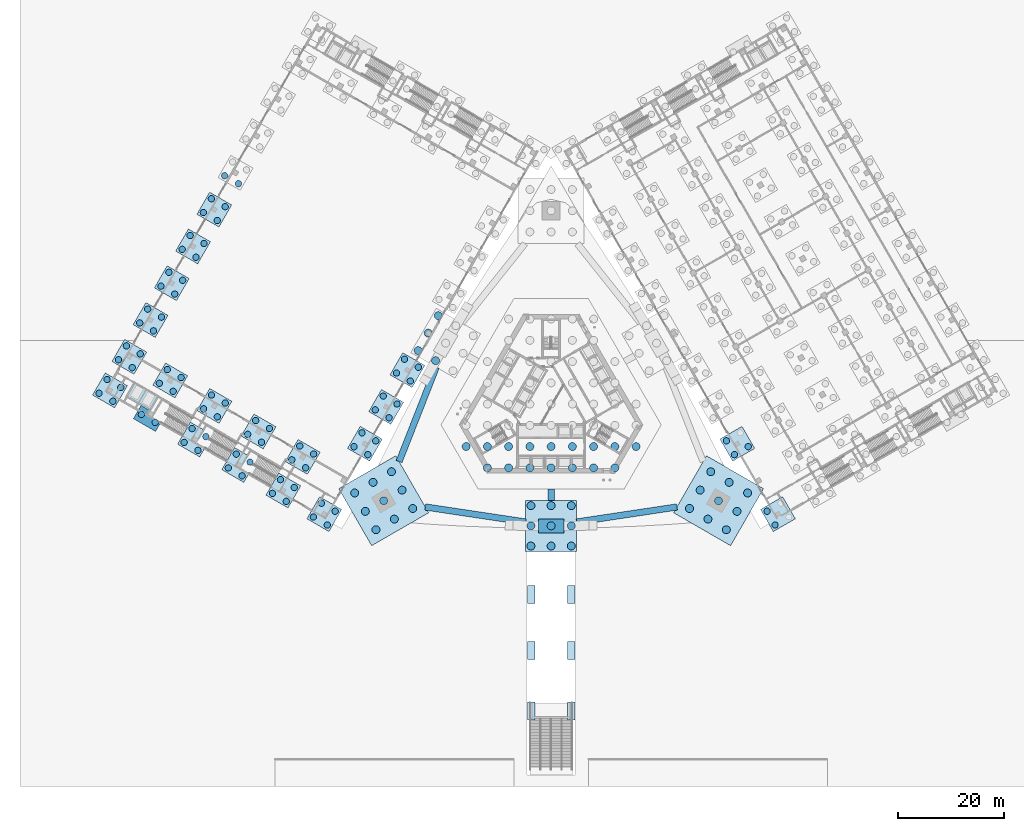
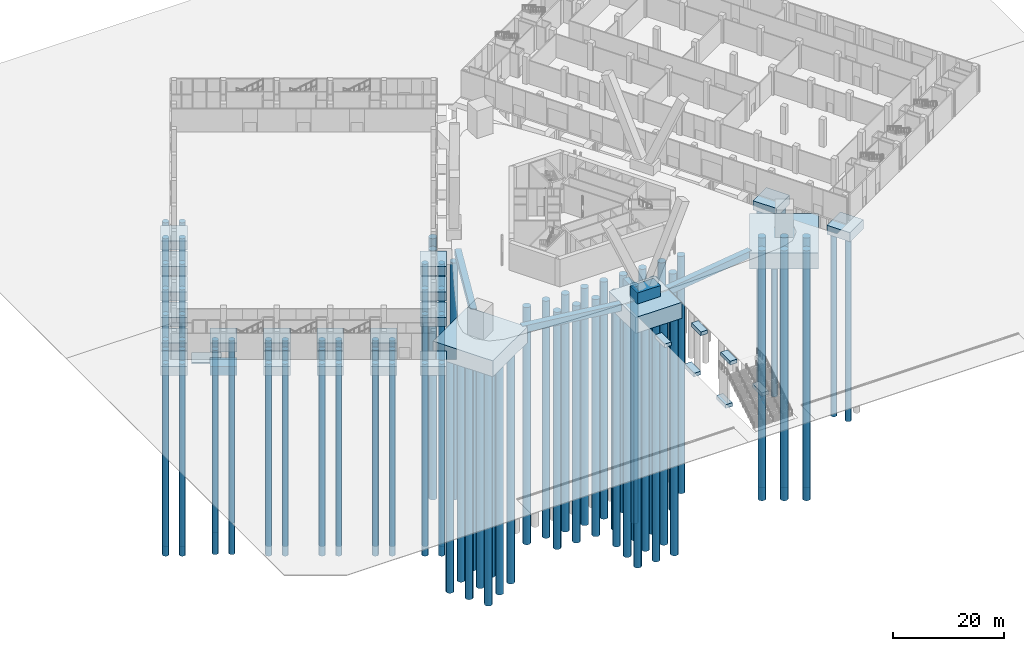
# One storey, part 1 of 38: 124 piles, 35 footings.
"""IFC4 building model written with IfcOpenShell, lengths in metres."""

from ifc_helpers import new_model, si_unit, direction, frame, origin, origin_2d, place, context, subcontext, project, spatial, polyline, rectangle, circle, outline, extrude, material, layer, layer_set, material_profile, profile_set, type_object, element, save


model = new_model("IFC4")

# Units and contexts
model_context = context("Model", 3, precision=1e-05, world=origin(), true_north=direction((0.0, 1.0)))
body_context = subcontext(model_context, "Body", "Model", "MODEL_VIEW")
ifc_project = project(units=[si_unit("LENGTHUNIT", "METRE"), si_unit("AREAUNIT", "SQUARE_METRE"), si_unit("VOLUMEUNIT", "CUBIC_METRE"), si_unit("PLANEANGLEUNIT", "RADIAN"), si_unit("MASSUNIT", "GRAM", prefix="KILO")], contexts=[model_context])

# Site, building, storey
site_placement = place(None, origin())
site = spatial("IfcSite", under=ifc_project, at=site_placement, CompositionType="ELEMENT")
building_placement = place(site_placement, origin())
building = spatial("IfcBuilding", under=site, at=building_placement, Name="Mestral Congress Tower", CompositionType="ELEMENT")
storey_placement = place(building_placement, origin())
storey = spatial("IfcBuildingStorey", under=building, at=storey_placement, Name="L00", CompositionType="ELEMENT", Elevation=0.0)

# Piles
ifc_material_1 = material(Name="Concrete C35/45", Category="concrete")
ifc_material_profile_1 = material_profile(ifc_material_1, circle(Radius=0.60009765625, at=origin_2d()), Name="D1200")
ifc_profile_set_1 = profile_set([ifc_material_profile_1], Name="Concrete C35/45")
pile_type_1 = type_object("IfcPileType", Name="Bored pile D1200", PredefinedType="BORED", material=ifc_profile_set_1)
for number, where, z_axis, x_axis, name in (
    (1, (42.16162109375, -22.769775390625, -2.14990234375), (0.0, 0.0, -1.0), (1.0, 0.0, 0.0), "PILE-WC-E-01A-01"),
    (2, (40.66162109375, -20.171630859375, -2.14990234375), (0.0, 0.0, -1.0), (1.0, 0.0, 0.0), "PILE-WC-E-01A-03"),
    (3, (34.511474609375, -9.51953125, -2.14990234375), (0.0, 0.0, -1.0), (1.0, 0.0, 0.0), "PILE-WC-E-03A-01"),
    (4, (37.109619140625, -8.01953125, -2.14990234375), (0.0, 0.0, -1.0), (1.0, 0.0, 0.0), "PILE-WC-E-03A-02"),
    (5, (33.011474609375, -6.921630859375, -2.14990234375), (0.0, 0.0, -1.0), (1.0, 0.0, 0.0), "PILE-WC-E-03A-03"),
    (6, (-58.868408203125, 41.4931640625, -2.14990234375), (0.0, 0.0, -1.0), (1.0, 0.0, 0.0), "PILE-WC-W-05F-03"),
    (7, (-61.46630859375, 42.9931640625, -2.14990234375), (0.0, 0.0, -1.0), (1.0, 0.0, 0.0), "PILE-WC-W-05F-04"),
    (8, (-61.368408203125, 37.1630859375, -2.14990234375), (0.0, 0.0, -1.0), (1.0, 0.0, 0.0), "PILE-WC-W-06F-01"),
    (9, (-63.96630859375, 38.6630859375, -2.14990234375), (0.0, 0.0, -1.0), (1.0, 0.0, 0.0), "PILE-WC-W-06F-02"),
    (10, (-62.868408203125, 34.56494140625, -2.14990234375), (0.0, 0.0, -1.0), (1.0, 0.0, 0.0), "PILE-WC-W-06F-03"),
    (11, (-65.46630859375, 36.06494140625, -2.14990234375), (0.0, 0.0, -1.0), (1.0, 0.0, 0.0), "PILE-WC-W-06F-04"),
    (12, (-25.011474609375, 6.934814453125, -2.14990234375), (0.0, 0.0, -1.0), (1.0, 0.0, 0.0), "PILE-WC-W-07A-01"),
    (13, (-27.609619140625, 8.434814453125, -2.14990234375), (0.0, 0.0, -1.0), (1.0, 0.0, 0.0), "PILE-WC-W-07A-02"),
    (14, (-26.511474609375, 4.336669921875, -2.14990234375), (0.0, 0.0, -1.0), (1.0, 0.0, 0.0), "PILE-WC-W-07A-03"),
    (15, (-29.109619140625, 5.836669921875, -2.14990234375), (0.0, 0.0, -1.0), (1.0, 0.0, 0.0), "PILE-WC-W-07A-04"),
    (16, (-65.368408203125, 30.23486328125, -2.14990234375), (0.0, 0.0, -1.0), (1.0, 0.0, 0.0), "PILE-WC-W-07F-01"),
    (17, (-67.96630859375, 31.73486328125, -2.14990234375), (0.0, 0.0, -1.0), (1.0, 0.0, 0.0), "PILE-WC-W-07F-02"),
    (18, (-66.868408203125, 27.63671875, -2.14990234375), (0.0, 0.0, -1.0), (1.0, 0.0, 0.0), "PILE-WC-W-07F-03"),
    (19, (-69.46630859375, 29.13671875, -2.14990234375), (0.0, 0.0, -1.0), (1.0, 0.0, 0.0), "PILE-WC-W-07F-04"),
    (20, (-29.011474609375, 0.006591796875, -2.14990234375), (0.0, 0.0, -1.0), (1.0, 0.0, 0.0), "PILE-WC-W-08A-01"),
    (21, (-31.609619140625, 1.506591796875, -2.14990234375), (0.0, 0.0, -1.0), (1.0, 0.0, 0.0), "PILE-WC-W-08A-02"),
    (22, (-30.511474609375, -2.591552734375, -2.14990234375), (0.0, 0.0, -1.0), (1.0, 0.0, 0.0), "PILE-WC-W-08A-03"),
    (23, (-33.109619140625, -1.091552734375, -2.14990234375), (0.0, 0.0, -1.0), (1.0, 0.0, 0.0), "PILE-WC-W-08A-04"),
    (24, (-69.368408203125, 23.306640625, -2.14990234375), (0.0, 0.0, -1.0), (1.0, 0.0, 0.0), "PILE-WC-W-08F-01"),
    (25, (-71.96630859375, 24.806640625, -2.14990234375), (0.0, 0.0, -1.0), (1.0, 0.0, 0.0), "PILE-WC-W-08F-02"),
    (26, (-70.868408203125, 20.70849609375, -2.14990234375), (0.0, 0.0, -1.0), (1.0, 0.0, 0.0), "PILE-WC-W-08F-03"),
    (27, (-73.46630859375, 22.20849609375, -2.14990234375), (0.0, 0.0, -1.0), (1.0, 0.0, 0.0), "PILE-WC-W-08F-04"),
    (28, (-33.011474609375, -6.921630859375, -2.14990234375), (0.0, 0.0, -1.0), (1.0, 0.0, 0.0), "PILE-WC-W-09A-01"),
    (29, (-35.609619140625, -5.421630859375, -2.14990234375), (0.0, 0.0, -1.0), (1.0, 0.0, 0.0), "PILE-WC-W-09A-02"),
    (30, (-34.511474609375, -9.519775390625, -2.14990234375), (0.0, 0.0, -1.0), (1.0, 0.0, 0.0), "PILE-WC-W-09A-03"),
    (31, (-37.109619140625, -8.019775390625, -2.14990234375), (0.0, 0.0, -1.0), (1.0, 0.0, 0.0), "PILE-WC-W-09A-04"),
    (32, (-73.368408203125, 16.37841796875, -2.14990234375), (0.0, 0.0, -1.0), (1.0, 0.0, 0.0), "PILE-WC-W-09F-01"),
    (33, (-75.96630859375, 17.87841796875, -2.14990234375), (0.0, 0.0, -1.0), (1.0, 0.0, 0.0), "PILE-WC-W-09F-02"),
    (34, (-74.868408203125, 13.7802734375, -2.14990234375), (0.0, 0.0, -1.0), (1.0, 0.0, 0.0), "PILE-WC-W-09F-03"),
    (35, (-77.46630859375, 15.2802734375, -2.14990234375), (0.0, 0.0, -1.0), (1.0, 0.0, 0.0), "PILE-WC-W-09F-04"),
    (36, (-44.718994140625, -9.39990234375, -2.14990234375), (0.0, 0.0, -1.0), (1.0, 0.0, 0.0), "PILE-WC-W-10B-01"),
    (37, (-47.317138671875, -7.89990234375, -2.14990234375), (0.0, 0.0, -1.0), (1.0, 0.0, 0.0), "PILE-WC-W-10B-02"),
    (38, (-46.218994140625, -11.997802734375, -2.14990234375), (0.0, 0.0, -1.0), (1.0, 0.0, 0.0), "PILE-WC-W-10B-03"),
    (39, (-48.817138671875, -10.497802734375, -2.14990234375), (0.0, 0.0, -1.0), (1.0, 0.0, 0.0), "PILE-WC-W-10B-04"),
    (40, (-53.032958984375, -4.599853515625, -2.14990234375), (0.0, 0.0, -1.0), (1.0, 0.0, 0.0), "PILE-WC-W-10C-01"),
    (41, (-55.631103515625, -3.099853515625, -2.14990234375), (0.0, 0.0, -1.0), (1.0, 0.0, 0.0), "PILE-WC-W-10C-02"),
    (42, (-54.532958984375, -7.197998046875, -2.14990234375), (0.0, 0.0, -1.0), (1.0, 0.0, 0.0), "PILE-WC-W-10C-03"),
    (43, (-57.131103515625, -5.697998046875, -2.14990234375), (0.0, 0.0, -1.0), (1.0, 0.0, 0.0), "PILE-WC-W-10C-04"),
    (44, (-61.3466796875, 0.2001953125, -2.14990234375), (0.0, 0.0, -1.0), (1.0, 0.0, 0.0), "PILE-WC-W-10D-01"),
    (45, (-63.94482421875, 1.7001953125, -2.14990234375), (0.0, 0.0, -1.0), (1.0, 0.0, 0.0), "PILE-WC-W-10D-02"),
    (46, (-62.8466796875, -2.39794921875, -2.14990234375), (0.0, 0.0, -1.0), (1.0, 0.0, 0.0), "PILE-WC-W-10D-03"),
    (47, (-65.44482421875, -0.89794921875, -2.14990234375), (0.0, 0.0, -1.0), (1.0, 0.0, 0.0), "PILE-WC-W-10D-04"),
    (48, (-69.66064453125, 5.000244140625, -2.14990234375), (0.0, 0.0, -1.0), (1.0, 0.0, 0.0), "PILE-WC-W-10E-01"),
    (49, (-72.2587890625, 6.500244140625, -2.14990234375), (0.0, 0.0, -1.0), (1.0, 0.0, 0.0), "PILE-WC-W-10E-02"),
    (50, (-71.16064453125, 2.402099609375, -2.14990234375), (0.0, 0.0, -1.0), (1.0, 0.0, 0.0), "PILE-WC-W-10E-03"),
    (51, (-73.7587890625, 3.902099609375, -2.14990234375), (0.0, 0.0, -1.0), (1.0, 0.0, 0.0), "PILE-WC-W-10E-04"),
    (52, (-77.368408203125, 9.4501953125, -2.14990234375), (0.0, 0.0, -1.0), (1.0, 0.0, 0.0), "PILE-WC-W-10F-01"),
    (53, (-79.96630859375, 10.9501953125, -2.14990234375), (0.0, 0.0, -1.0), (1.0, 0.0, 0.0), "PILE-WC-W-10F-02"),
    (54, (-78.868408203125, 6.85205078125, -2.14990234375), (0.0, 0.0, -1.0), (1.0, 0.0, 0.0), "PILE-WC-W-10F-03"),
    (55, (-81.46630859375, 8.35205078125, -2.14990234375), (0.0, 0.0, -1.0), (1.0, 0.0, 0.0), "PILE-WC-W-10F-04"),
    (56, (-40.66162109375, -20.171875, -2.14990234375), (0.0, 0.0, -1.0), (1.0, 0.0, 0.0), "PILE-WC-W-11A-01"),
    (57, (-43.259521484375, -18.671875, -2.14990234375), (0.0, 0.0, -1.0), (1.0, 0.0, 0.0), "PILE-WC-W-11A-02"),
    (58, (-42.16162109375, -22.77001953125, -2.14990234375), (0.0, 0.0, -1.0), (1.0, 0.0, 0.0), "PILE-WC-W-11A-03"),
    (59, (-44.759521484375, -21.27001953125, -2.14990234375), (0.0, 0.0, -1.0), (1.0, 0.0, 0.0), "PILE-WC-W-11A-04"),
    (60, (-48.369140625, -15.7216796875, -2.14990234375), (0.0, 0.0, -1.0), (1.0, 0.0, 0.0), "PILE-WC-W-11B-01"),
    (61, (-50.96728515625, -14.2216796875, -2.14990234375), (0.0, 0.0, -1.0), (1.0, 0.0, 0.0), "PILE-WC-W-11B-02"),
    (62, (-49.869140625, -18.31982421875, -2.14990234375), (0.0, 0.0, -1.0), (1.0, 0.0, 0.0), "PILE-WC-W-11B-03"),
    (63, (-52.46728515625, -16.81982421875, -2.14990234375), (0.0, 0.0, -1.0), (1.0, 0.0, 0.0), "PILE-WC-W-11B-04"),
    (64, (-56.682861328125, -10.921875, -2.14990234375), (0.0, 0.0, -1.0), (1.0, 0.0, 0.0), "PILE-WC-W-11C-01"),
    (65, (-59.281005859375, -9.421875, -2.14990234375), (0.0, 0.0, -1.0), (1.0, 0.0, 0.0), "PILE-WC-W-11C-02"),
    (66, (-58.182861328125, -13.52001953125, -2.14990234375), (0.0, 0.0, -1.0), (1.0, 0.0, 0.0), "PILE-WC-W-11C-03"),
    (67, (-60.781005859375, -12.02001953125, -2.14990234375), (0.0, 0.0, -1.0), (1.0, 0.0, 0.0), "PILE-WC-W-11C-04"),
    (68, (-64.996826171875, -6.121826171875, -2.14990234375), (0.0, 0.0, -1.0), (1.0, 0.0, 0.0), "PILE-WC-W-11D-01"),
    (69, (-67.594970703125, -4.621826171875, -2.14990234375), (0.0, 0.0, -1.0), (1.0, 0.0, 0.0), "PILE-WC-W-11D-02"),
    (70, (-66.496826171875, -8.719970703125, -2.14990234375), (0.0, 0.0, -1.0), (1.0, 0.0, 0.0), "PILE-WC-W-11D-03"),
    (71, (-69.094970703125, -7.219970703125, -2.14990234375), (0.0, 0.0, -1.0), (1.0, 0.0, 0.0), "PILE-WC-W-11D-04"),
    (72, (-74.548095703125, -3.465087890625, -2.14990234375), (0.0, 0.0, -1.0), (1.0, 0.0, 0.0), "PILE-WC-W-11E-01"),
    (73, (-77.146240234375, -1.965087890625, -2.14990234375), (0.0, 0.0, -1.0), (1.0, 0.0, 0.0), "PILE-WC-W-11E-02"),
    (74, (-81.018310546875, 3.128173828125, -2.14990234375), (0.0, 0.0, -1.0), (1.0, 0.0, 0.0), "PILE-WC-W-11F-01"),
    (75, (-83.6162109375, 4.628173828125, -2.14990234375), (0.0, 0.0, -1.0), (1.0, 0.0, 0.0), "PILE-WC-W-11F-02"),
    (76, (-82.518310546875, 0.530029296875, -2.14990234375), (0.0, 0.0, -1.0), (1.0, 0.0, 0.0), "PILE-WC-W-11F-03"),
    (77, (-85.1162109375, 2.030029296875, -2.14990234375), (0.0, 0.0, -1.0), (1.0, 0.0, 0.0), "PILE-WC-W-11F-04"),
):
    element("IfcPile", number, at=place(storey_placement, frame(where, z_axis=z_axis, x_axis=x_axis)), inside=storey, type_object=pile_type_1, Name=name, PredefinedType="BORED", context=body_context, shape_type="SweptSolid", body=[
        extrude(circle(Radius=0.60009765625, at=origin_2d()), origin(), (0.0, 0.0, 1.0), 40.0),
    ])
ifc_material_profile_2 = material_profile(ifc_material_1, circle(Radius=0.75, at=origin_2d()), Name="D1500")
ifc_profile_set_2 = profile_set([ifc_material_profile_2], Name="Concrete C35/45")
pile_type_2 = type_object("IfcPileType", Name="Bored pile D1500", PredefinedType="BORED", material=ifc_profile_set_2)
for number, where, z_axis, x_axis, name in (
    (78, (-16.0, -8.0, -5.64990234375), (0.0, 0.0, -1.0), (1.0, 0.0, 0.0), "PILE-RAFT-01"),
    (79, (-12.0, -12.0, -5.64990234375), (0.0, 0.0, -1.0), (1.0, 0.0, 0.0), "PILE-RAFT-04"),
    (80, (-12.0, -8.0, -5.64990234375), (0.0, 0.0, -1.0), (1.0, 0.0, 0.0), "PILE-RAFT-05"),
    (81, (-8.0, -12.0, -5.64990234375), (0.0, 0.0, -1.0), (1.0, 0.0, 0.0), "PILE-RAFT-10"),
    (82, (-8.0, -8.0, -5.64990234375), (0.0, 0.0, -1.0), (1.0, 0.0, 0.0), "PILE-RAFT-11"),
    (83, (-4.0, -12.0, -5.64990234375), (0.0, 0.0, -1.0), (1.0, 0.0, 0.0), "PILE-RAFT-18"),
    (84, (-4.0, -8.0, -5.64990234375), (0.0, 0.0, -1.0), (1.0, 0.0, 0.0), "PILE-RAFT-19"),
    (85, (0.0, -12.0, -5.64990234375), (0.0, 0.0, -1.0), (1.0, 0.0, 0.0), "PILE-RAFT-26"),
    (86, (0.0, -8.0, -5.64990234375), (0.0, 0.0, -1.0), (1.0, 0.0, 0.0), "PILE-RAFT-27"),
    (87, (4.0, -12.0, -5.64990234375), (0.0, 0.0, -1.0), (1.0, 0.0, 0.0), "PILE-RAFT-34"),
    (88, (4.0, -8.0, -5.64990234375), (0.0, 0.0, -1.0), (1.0, 0.0, 0.0), "PILE-RAFT-35"),
    (89, (8.0, -12.0, -5.64990234375), (0.0, 0.0, -1.0), (1.0, 0.0, 0.0), "PILE-RAFT-42"),
    (90, (8.0, -8.0, -5.64990234375), (0.0, 0.0, -1.0), (1.0, 0.0, 0.0), "PILE-RAFT-43"),
    (91, (12.0, -12.0, -5.64990234375), (0.0, 0.0, -1.0), (1.0, 0.0, 0.0), "PILE-RAFT-50"),
    (92, (12.0, -8.0, -5.64990234375), (0.0, 0.0, -1.0), (1.0, 0.0, 0.0), "PILE-RAFT-51"),
    (93, (16.0, -8.0, -5.64990234375), (0.0, 0.0, -1.0), (1.0, 0.0, 0.0), "PILE-RAFT-56"),
    (94, (26.058349609375, -19.66357421875, -3.64990234375), (0.0, 0.0, -1.0), (1.0, 0.0, 0.0), "PILE-PCP-SE-01"),
    (95, (28.058349609375, -16.199462890625, -3.64990234375), (0.0, 0.0, -1.0), (1.0, 0.0, 0.0), "PILE-PCP-SE-02"),
    (96, (30.058349609375, -12.7353515625, -3.64990234375), (0.0, 0.0, -1.0), (1.0, 0.0, 0.0), "PILE-PCP-SE-03"),
    (97, (29.5224609375, -21.66357421875, -3.64990234375), (0.0, 0.0, -1.0), (1.0, 0.0, 0.0), "PILE-PCP-SE-04"),
    (98, (31.5224609375, -18.199462890625, -3.64990234375), (0.0, 0.0, -1.0), (1.0, 0.0, 0.0), "PILE-PCP-SE-05"),
    (99, (33.5224609375, -14.7353515625, -3.64990234375), (0.0, 0.0, -1.0), (1.0, 0.0, 0.0), "PILE-PCP-SE-06"),
    (100, (32.986572265625, -23.66357421875, -3.64990234375), (0.0, 0.0, -1.0), (1.0, 0.0, 0.0), "PILE-PCP-SE-07"),
    (101, (34.986572265625, -20.199462890625, -3.64990234375), (0.0, 0.0, -1.0), (1.0, 0.0, 0.0), "PILE-PCP-SE-08"),
    (102, (36.986572265625, -16.7353515625, -3.64990234375), (0.0, 0.0, -1.0), (1.0, 0.0, 0.0), "PILE-PCP-SE-09"),
    (103, (-30.058349609375, -12.7353515625, -3.64990234375), (0.0, 0.0, -1.0), (1.0, 0.0, 0.0), "PILE-PCP-SW-01"),
    (104, (-28.058349609375, -16.199462890625, -3.64990234375), (0.0, 0.0, -1.0), (1.0, 0.0, 0.0), "PILE-PCP-SW-02"),
    (105, (-26.058349609375, -19.66357421875, -3.64990234375), (0.0, 0.0, -1.0), (1.0, 0.0, 0.0), "PILE-PCP-SW-03"),
    (106, (-33.5224609375, -14.7353515625, -3.64990234375), (0.0, 0.0, -1.0), (1.0, 0.0, 0.0), "PILE-PCP-SW-04"),
    (107, (-31.5224609375, -18.199462890625, -3.64990234375), (0.0, 0.0, -1.0), (1.0, 0.0, 0.0), "PILE-PCP-SW-05"),
    (108, (-29.5224609375, -21.66357421875, -3.64990234375), (0.0, 0.0, -1.0), (1.0, 0.0, 0.0), "PILE-PCP-SW-06"),
    (109, (-36.986572265625, -16.7353515625, -3.64990234375), (0.0, 0.0, -1.0), (1.0, 0.0, 0.0), "PILE-PCP-SW-07"),
    (110, (-34.986572265625, -20.199462890625, -3.64990234375), (0.0, 0.0, -1.0), (1.0, 0.0, 0.0), "PILE-PCP-SW-08"),
    (111, (-32.986572265625, -23.66357421875, -3.64990234375), (0.0, 0.0, -1.0), (1.0, 0.0, 0.0), "PILE-PCP-SW-09"),
    (112, (-3.800048828125, -26.72802734375, -3.64990234375), (0.0, 0.0, -1.0), (1.0, 0.0, 0.0), "PILE-VCP-S-01"),
    (113, (-3.800048828125, -22.927978515625, -3.64990234375), (0.0, 0.0, -1.0), (1.0, 0.0, 0.0), "PILE-VCP-S-02"),
    (114, (-3.800048828125, -19.1279296875, -3.64990234375), (0.0, 0.0, -1.0), (1.0, 0.0, 0.0), "PILE-VCP-S-03"),
    (115, (0.0, -26.72802734375, -3.64990234375), (0.0, 0.0, -1.0), (1.0, 0.0, 0.0), "PILE-VCP-S-04"),
    (116, (0.0, -22.927978515625, -3.64990234375), (0.0, 0.0, -1.0), (1.0, 0.0, 0.0), "PILE-VCP-S-05"),
    (117, (0.0, -19.1279296875, -3.64990234375), (0.0, 0.0, -1.0), (1.0, 0.0, 0.0), "PILE-VCP-S-06"),
    (118, (3.800048828125, -26.72802734375, -3.64990234375), (0.0, 0.0, -1.0), (1.0, 0.0, 0.0), "PILE-VCP-S-07"),
    (119, (3.800048828125, -22.927978515625, -3.64990234375), (0.0, 0.0, -1.0), (1.0, 0.0, 0.0), "PILE-VCP-S-08"),
    (120, (3.800048828125, -19.1279296875, -3.64990234375), (0.0, 0.0, -1.0), (1.0, 0.0, 0.0), "PILE-VCP-S-09"),
    (121, (-21.2470703125, 16.65478515625, -3.64990234375), (0.0, 0.0, -1.0), (1.0, 0.0, 0.0), "PILE-VCP-W-01"),
    (122, (-23.147216796875, 13.364013671875, -3.64990234375), (0.0, 0.0, -1.0), (1.0, 0.0, 0.0), "PILE-VCP-W-04"),
    (123, (-25.047119140625, 10.072998046875, -3.64990234375), (0.0, 0.0, -1.0), (1.0, 0.0, 0.0), "PILE-VCP-W-07"),
    (124, (-21.756103515625, 8.173095703125, -3.64990234375), (0.0, 0.0, -1.0), (1.0, 0.0, 0.0), "PILE-VCP-W-08"),
):
    element("IfcPile", number, at=place(storey_placement, frame(where, z_axis=z_axis, x_axis=x_axis)), inside=storey, type_object=pile_type_2, Name=name, PredefinedType="BORED", context=body_context, shape_type="SweptSolid", body=[
        extrude(circle(Radius=0.75, at=origin_2d()), origin(), (0.0, 0.0, 1.0), 52.0),
    ])

# Footings
ifc_layer_1 = layer(ifc_material_1, 0.300048828125)
ifc_layer_set_1 = layer_set([ifc_layer_1], Name="Concrete C35/45")
footing_type_1 = type_object("IfcFootingType", Name="Lift pit slab 300", PredefinedType="PAD_FOOTING", material=ifc_layer_set_1)
footing_1_placement = place(storey_placement, frame((0.0, 0.0, -1.800048828125)))
element("IfcFooting", 125, at=footing_1_placement, inside=storey, type_object=footing_type_1, Name="FT-PIT-W1", PredefinedType="PAD_FOOTING", context=body_context, shape_type="SweptSolid", body=[
    extrude(outline(polyline([(-75.4560546875, -1.23779296875), (-73.856201171875, 1.533447265625), (-78.446044921875, 4.18359375), (-80.0458984375, 1.412109375), (-75.4560546875, -1.23779296875)])), origin(), (0.0, 0.0, 1.0), 0.300048828125),
])
ifc_layer_2 = layer(ifc_material_1, 3.5)
ifc_layer_set_2 = layer_set([ifc_layer_2], Name="Concrete C35/45")
footing_type_2 = type_object("IfcFootingType", Name="Pile cap 3500", PredefinedType="PILE_CAP", material=ifc_layer_set_2)
placement_1 = place(storey_placement, frame((0.0, 0.0, -3.800048828125)))
element("IfcFooting", 126, at=placement_1, inside=storey, type_object=footing_type_2, Name="FT-PYCAP-0", PredefinedType="PILE_CAP", context=body_context, shape_type="SweptSolid", body=[
    extrude(outline(polyline([(23.052978515625, -20.468994140625), (33.791748046875, -26.6689453125), (39.99169921875, -15.93017578125), (29.2529296875, -9.72998046875), (23.052978515625, -20.468994140625)])), origin(), (0.0, 0.0, 1.0), 3.5),
])
element("IfcFooting", 127, at=placement_1, inside=storey, type_object=footing_type_2, Name="FT-PYCAP-2", PredefinedType="PILE_CAP", context=body_context, shape_type="SweptSolid", body=[
    extrude(outline(polyline([(-29.2529296875, -9.72998046875), (-39.99169921875, -15.93017578125), (-33.791748046875, -26.6689453125), (-23.052978515625, -20.468994140625), (-29.2529296875, -9.72998046875)])), origin(), (0.0, 0.0, 1.0), 3.5),
])
element("IfcFooting", 128, at=placement_1, inside=storey, type_object=footing_type_2, Name="FT-VCAP-0", PredefinedType="PILE_CAP", context=body_context, shape_type="SweptSolid", body=[
    extrude(outline(polyline([(-4.800048828125, -27.72802734375), (4.800048828125, -27.72802734375), (4.800048828125, -18.1279296875), (-4.800048828125, -18.1279296875), (-4.800048828125, -27.72802734375)])), origin(), (0.0, 0.0, 1.0), 3.5),
])
ifc_layer_3 = layer(ifc_material_1, 0.800048828125)
ifc_layer_set_3 = layer_set([ifc_layer_3], Name="Concrete C35/45")
footing_type_3 = type_object("IfcFootingType", Name="Strip footing 1400", PredefinedType="STRIP_FOOTING", material=ifc_layer_set_3)
placement_2 = place(storey_placement, frame((0.0, 0.0, -1.10009765625)))
element("IfcFooting", 129, at=placement_2, inside=storey, type_object=footing_type_3, Name="FT-TERR-1-W", PredefinedType="STRIP_FOOTING", context=body_context, shape_type="SweptSolid", body=[
    extrude(outline(polyline([(-4.449951171875, -34.1279296875), (-4.449951171875, -37.528076171875), (-3.050048828125, -37.528076171875), (-3.050048828125, -34.1279296875), (-4.449951171875, -34.1279296875)])), origin(), (0.0, 0.0, 1.0), 0.800048828125),
])
element("IfcFooting", 130, at=placement_2, inside=storey, type_object=footing_type_3, Name="FT-TERR-1-E", PredefinedType="STRIP_FOOTING", context=body_context, shape_type="SweptSolid", body=[
    extrude(outline(polyline([(3.050048828125, -34.1279296875), (3.050048828125, -37.528076171875), (4.449951171875, -37.528076171875), (4.449951171875, -34.1279296875), (3.050048828125, -34.1279296875)])), origin(), (0.0, 0.0, 1.0), 0.800048828125),
])
element("IfcFooting", 131, at=placement_2, inside=storey, type_object=footing_type_3, Name="FT-TERR-2-W", PredefinedType="STRIP_FOOTING", context=body_context, shape_type="SweptSolid", body=[
    extrude(outline(polyline([(-4.449951171875, -44.68798828125), (-4.449951171875, -48.087890625), (-3.050048828125, -48.087890625), (-3.050048828125, -44.68798828125), (-4.449951171875, -44.68798828125)])), origin(), (0.0, 0.0, 1.0), 0.800048828125),
])
element("IfcFooting", 132, at=placement_2, inside=storey, type_object=footing_type_3, Name="FT-TERR-2-E", PredefinedType="STRIP_FOOTING", context=body_context, shape_type="SweptSolid", body=[
    extrude(outline(polyline([(3.050048828125, -44.68798828125), (3.050048828125, -48.087890625), (4.449951171875, -48.087890625), (4.449951171875, -44.68798828125), (3.050048828125, -44.68798828125)])), origin(), (0.0, 0.0, 1.0), 0.800048828125),
])
element("IfcFooting", 133, at=placement_2, inside=storey, type_object=footing_type_3, Name="FT-TERR-3-W", PredefinedType="STRIP_FOOTING", context=body_context, shape_type="SweptSolid", body=[
    extrude(outline(polyline([(-4.449951171875, -56.087890625), (-4.449951171875, -59.488037109375), (-3.050048828125, -59.488037109375), (-3.050048828125, -56.087890625), (-4.449951171875, -56.087890625)])), origin(), (0.0, 0.0, 1.0), 0.800048828125),
])
element("IfcFooting", 134, at=placement_2, inside=storey, type_object=footing_type_3, Name="FT-TERR-3-E", PredefinedType="STRIP_FOOTING", context=body_context, shape_type="SweptSolid", body=[
    extrude(outline(polyline([(3.050048828125, -56.087890625), (3.050048828125, -59.488037109375), (4.449951171875, -59.488037109375), (4.449951171875, -56.087890625), (3.050048828125, -56.087890625)])), origin(), (0.0, 0.0, 1.0), 0.800048828125),
])
footing_type_4 = type_object("IfcFootingType", Name="Tie beam 1200x1500", PredefinedType="FOOTING_BEAM", material=ifc_material_1)
footing_11_placement = place(storey_placement, frame((0.0, -17.06396484375, -1.800048828125), z_axis=(0.0, 0.0, 1.0), x_axis=(0.0, 1.0, 0.0)))
element("IfcFooting", 135, at=footing_11_placement, inside=storey, type_object=footing_type_4, Name="FT-TIE-RT-S", PredefinedType="FOOTING_BEAM", context=body_context, shape_type="SweptSolid", body=[
    extrude(rectangle(XDim=2.1279296875, YDim=1.199951171875, at=origin_2d()), origin(), (0.0, 0.0, 1.0), 1.5),
])
for number, where, z_axis, x_axis, name in (
    (136, (-14.2421875, -20.79150390625, -1.800048828125), (0.0, 0.0, 1.0), (0.988935746017, -0.148344498547, 0.0), "FT-TIE-TB-SA"),
    (137, (14.2421875, -20.79150390625, -1.800048828125), (0.0, 0.0, 1.0), (0.988935746017, 0.148344498547, 0.0), "FT-TIE-TB-SB"),
    (138, (-25.127197265625, -1.9384765625, -1.800048828125), (0.0, 0.0, 1.0), (-0.365997768755, -0.930615728035, 0.0), "FT-TIE-TB-WB"),
):
    element("IfcFooting", number, at=place(storey_placement, frame(where, z_axis=z_axis, x_axis=x_axis)), inside=storey, type_object=footing_type_4, Name=name, PredefinedType="FOOTING_BEAM", context=body_context, shape_type="SweptSolid", body=[
        extrude(rectangle(XDim=19.095703125, YDim=1.199951171875, at=origin_2d()), origin(), (0.0, 0.0, 1.0), 1.5),
    ])
ifc_material_2 = material(Name="Concrete C80/95", Category="concrete")
ifc_layer_4 = layer(ifc_material_2, 2.39990234375)
ifc_layer_set_4 = layer_set([ifc_layer_4], Name="Concrete C80/95")
footing_type_5 = type_object("IfcFootingType", Name="V base pedestal", PredefinedType="PAD_FOOTING", material=ifc_layer_set_4)
footing_12_placement = place(storey_placement, frame((0.0, 0.0, -0.300048828125)))
element("IfcFooting", 139, at=footing_12_placement, inside=storey, type_object=footing_type_5, Name="FT-VPED-0", PredefinedType="PAD_FOOTING", context=body_context, shape_type="SweptSolid", body=[
    extrude(outline(polyline([(-2.39990234375, -24.22802734375), (2.39990234375, -24.22802734375), (2.39990234375, -21.6279296875), (-2.39990234375, -21.6279296875), (-2.39990234375, -24.22802734375)])), origin(), (0.0, 0.0, 1.0), 2.400146484375),
])
ifc_layer_5 = layer(ifc_material_1, 2.0)
ifc_layer_set_5 = layer_set([ifc_layer_5], Name="Concrete C35/45")
footing_type_6 = type_object("IfcFootingType", Name="Wing pile cap 4800", PredefinedType="PILE_CAP", material=ifc_layer_set_5)
placement_3 = place(storey_placement, frame((0.0, 0.0, -2.300048828125)))
element("IfcFooting", 140, at=placement_3, inside=storey, type_object=footing_type_6, Name="FT-WC-E-01A", PredefinedType="PILE_CAP", context=body_context, shape_type="SweptSolid", body=[
    extrude(outline(polyline([(41.83203125, -23.999267578125), (45.989013671875, -21.59912109375), (43.589111328125, -17.4423828125), (39.43212890625, -19.84228515625), (41.83203125, -23.999267578125)])), origin(), (0.0, 0.0, 1.0), 2.0),
])
element("IfcFooting", 141, at=placement_3, inside=storey, type_object=footing_type_6, Name="FT-WC-E-03A", PredefinedType="PILE_CAP", context=body_context, shape_type="SweptSolid", body=[
    extrude(outline(polyline([(34.18212890625, -10.7490234375), (38.339111328125, -8.34912109375), (35.93896484375, -4.192138671875), (31.781982421875, -6.592041015625), (34.18212890625, -10.7490234375)])), origin(), (0.0, 0.0, 1.0), 2.0),
])
element("IfcFooting", 142, at=placement_3, inside=storey, type_object=footing_type_6, Name="FT-WC-W-06F", PredefinedType="PILE_CAP", context=body_context, shape_type="SweptSolid", body=[
    extrude(outline(polyline([(-60.138916015625, 37.492431640625), (-64.2958984375, 39.892333984375), (-66.69580078125, 35.735595703125), (-62.538818359375, 33.33544921875), (-60.138916015625, 37.492431640625)])), origin(), (0.0, 0.0, 1.0), 2.0),
])
element("IfcFooting", 143, at=placement_3, inside=storey, type_object=footing_type_6, Name="FT-WC-W-07A", PredefinedType="PILE_CAP", context=body_context, shape_type="SweptSolid", body=[
    extrude(outline(polyline([(-23.781982421875, 7.26416015625), (-27.93896484375, 9.664306640625), (-30.339111328125, 5.50732421875), (-26.18212890625, 3.107421875), (-23.781982421875, 7.26416015625)])), origin(), (0.0, 0.0, 1.0), 2.0),
])
element("IfcFooting", 144, at=placement_3, inside=storey, type_object=footing_type_6, Name="FT-WC-W-07F", PredefinedType="PILE_CAP", context=body_context, shape_type="SweptSolid", body=[
    extrude(outline(polyline([(-64.138916015625, 30.564208984375), (-68.2958984375, 32.964111328125), (-70.69580078125, 28.807373046875), (-66.538818359375, 26.4072265625), (-64.138916015625, 30.564208984375)])), origin(), (0.0, 0.0, 1.0), 2.0),
])
element("IfcFooting", 145, at=placement_3, inside=storey, type_object=footing_type_6, Name="FT-WC-W-08A", PredefinedType="PILE_CAP", context=body_context, shape_type="SweptSolid", body=[
    extrude(outline(polyline([(-27.781982421875, 0.3359375), (-31.93896484375, 2.736083984375), (-34.339111328125, -1.4208984375), (-30.18212890625, -3.82080078125), (-27.781982421875, 0.3359375)])), origin(), (0.0, 0.0, 1.0), 2.0),
])
element("IfcFooting", 146, at=placement_3, inside=storey, type_object=footing_type_6, Name="FT-WC-W-08F", PredefinedType="PILE_CAP", context=body_context, shape_type="SweptSolid", body=[
    extrude(outline(polyline([(-68.138916015625, 23.635986328125), (-72.2958984375, 26.035888671875), (-74.69580078125, 21.879150390625), (-70.538818359375, 19.47900390625), (-68.138916015625, 23.635986328125)])), origin(), (0.0, 0.0, 1.0), 2.0),
])
element("IfcFooting", 147, at=placement_3, inside=storey, type_object=footing_type_6, Name="FT-WC-W-09A", PredefinedType="PILE_CAP", context=body_context, shape_type="SweptSolid", body=[
    extrude(outline(polyline([(-31.781982421875, -6.59228515625), (-35.93896484375, -4.192138671875), (-38.339111328125, -8.34912109375), (-34.18212890625, -10.7490234375), (-31.781982421875, -6.59228515625)])), origin(), (0.0, 0.0, 1.0), 2.0),
])
element("IfcFooting", 148, at=placement_3, inside=storey, type_object=footing_type_6, Name="FT-WC-W-09F", PredefinedType="PILE_CAP", context=body_context, shape_type="SweptSolid", body=[
    extrude(outline(polyline([(-72.138916015625, 16.707763671875), (-76.2958984375, 19.10791015625), (-78.69580078125, 14.950927734375), (-74.538818359375, 12.55078125), (-72.138916015625, 16.707763671875)])), origin(), (0.0, 0.0, 1.0), 2.0),
])
element("IfcFooting", 149, at=placement_3, inside=storey, type_object=footing_type_6, Name="FT-WC-W-10B", PredefinedType="PILE_CAP", context=body_context, shape_type="SweptSolid", body=[
    extrude(outline(polyline([(-43.48974609375, -9.0703125), (-47.646484375, -6.67041015625), (-50.046630859375, -10.827392578125), (-45.8896484375, -13.227294921875), (-43.48974609375, -9.0703125)])), origin(), (0.0, 0.0, 1.0), 2.0),
])
element("IfcFooting", 150, at=placement_3, inside=storey, type_object=footing_type_6, Name="FT-WC-W-10C", PredefinedType="PILE_CAP", context=body_context, shape_type="SweptSolid", body=[
    extrude(outline(polyline([(-51.803466796875, -4.2705078125), (-55.96044921875, -1.870361328125), (-58.3603515625, -6.02734375), (-54.20361328125, -8.42724609375), (-51.803466796875, -4.2705078125)])), origin(), (0.0, 0.0, 1.0), 2.0),
])
element("IfcFooting", 151, at=placement_3, inside=storey, type_object=footing_type_6, Name="FT-WC-W-10D", PredefinedType="PILE_CAP", context=body_context, shape_type="SweptSolid", body=[
    extrude(outline(polyline([(-60.117431640625, 0.529541015625), (-64.2744140625, 2.9296875), (-66.67431640625, -1.227294921875), (-62.517333984375, -3.627197265625), (-60.117431640625, 0.529541015625)])), origin(), (0.0, 0.0, 1.0), 2.0),
])
element("IfcFooting", 152, at=placement_3, inside=storey, type_object=footing_type_6, Name="FT-WC-W-10E", PredefinedType="PILE_CAP", context=body_context, shape_type="SweptSolid", body=[
    extrude(outline(polyline([(-68.43115234375, 5.32958984375), (-72.588134765625, 7.7294921875), (-74.988037109375, 3.57275390625), (-70.831298828125, 1.172607421875), (-68.43115234375, 5.32958984375)])), origin(), (0.0, 0.0, 1.0), 2.0),
])
element("IfcFooting", 153, at=placement_3, inside=storey, type_object=footing_type_6, Name="FT-WC-W-10F", PredefinedType="PILE_CAP", context=body_context, shape_type="SweptSolid", body=[
    extrude(outline(polyline([(-76.138916015625, 9.779541015625), (-80.2958984375, 12.1796875), (-82.69580078125, 8.022705078125), (-78.538818359375, 5.622802734375), (-76.138916015625, 9.779541015625)])), origin(), (0.0, 0.0, 1.0), 2.0),
])
element("IfcFooting", 154, at=placement_3, inside=storey, type_object=footing_type_6, Name="FT-WC-W-11A", PredefinedType="PILE_CAP", context=body_context, shape_type="SweptSolid", body=[
    extrude(outline(polyline([(-39.43212890625, -19.84228515625), (-43.589111328125, -17.4423828125), (-45.989013671875, -21.599365234375), (-41.83203125, -23.999267578125), (-39.43212890625, -19.84228515625)])), origin(), (0.0, 0.0, 1.0), 2.0),
])
element("IfcFooting", 155, at=placement_3, inside=storey, type_object=footing_type_6, Name="FT-WC-W-11B", PredefinedType="PILE_CAP", context=body_context, shape_type="SweptSolid", body=[
    extrude(outline(polyline([(-47.1396484375, -15.392333984375), (-51.296630859375, -12.992431640625), (-53.696533203125, -17.1494140625), (-49.539794921875, -19.54931640625), (-47.1396484375, -15.392333984375)])), origin(), (0.0, 0.0, 1.0), 2.0),
])
element("IfcFooting", 156, at=placement_3, inside=storey, type_object=footing_type_6, Name="FT-WC-W-11C", PredefinedType="PILE_CAP", context=body_context, shape_type="SweptSolid", body=[
    extrude(outline(polyline([(-55.45361328125, -10.59228515625), (-59.6103515625, -8.1923828125), (-62.010498046875, -12.349365234375), (-57.853515625, -14.749267578125), (-55.45361328125, -10.59228515625)])), origin(), (0.0, 0.0, 1.0), 2.0),
])
element("IfcFooting", 157, at=placement_3, inside=storey, type_object=footing_type_6, Name="FT-WC-W-11D", PredefinedType="PILE_CAP", context=body_context, shape_type="SweptSolid", body=[
    extrude(outline(polyline([(-63.767333984375, -5.79248046875), (-67.92431640625, -3.392333984375), (-70.32421875, -7.54931640625), (-66.16748046875, -9.94921875), (-63.767333984375, -5.79248046875)])), origin(), (0.0, 0.0, 1.0), 2.0),
])
element("IfcFooting", 158, at=placement_3, inside=storey, type_object=footing_type_6, Name="FT-WC-W-11E", PredefinedType="PILE_CAP", context=body_context, shape_type="SweptSolid", body=[
    extrude(outline(polyline([(-73.05615234375, -2.68115234375), (-77.213134765625, -0.281005859375), (-78.63818359375, -2.749267578125), (-74.481201171875, -5.1494140625), (-73.05615234375, -2.68115234375)])), origin(), (0.0, 0.0, 1.0), 2.0),
])
element("IfcFooting", 159, at=placement_3, inside=storey, type_object=footing_type_6, Name="FT-WC-W-11F", PredefinedType="PILE_CAP", context=body_context, shape_type="SweptSolid", body=[
    extrude(outline(polyline([(-79.788818359375, 3.45751953125), (-83.94580078125, 5.857666015625), (-86.345703125, 1.70068359375), (-82.188720703125, -0.69921875), (-79.788818359375, 3.45751953125)])), origin(), (0.0, 0.0, 1.0), 2.0),
])

save(model, "model.ifc")
